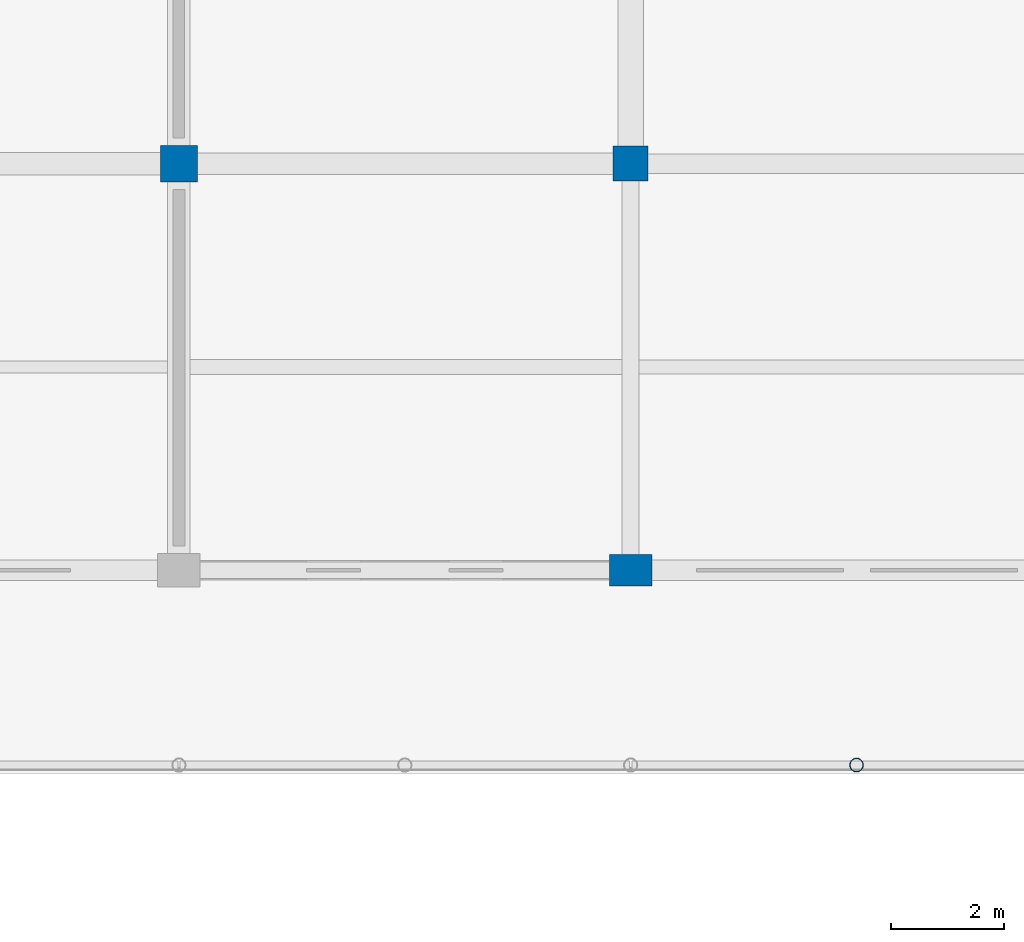
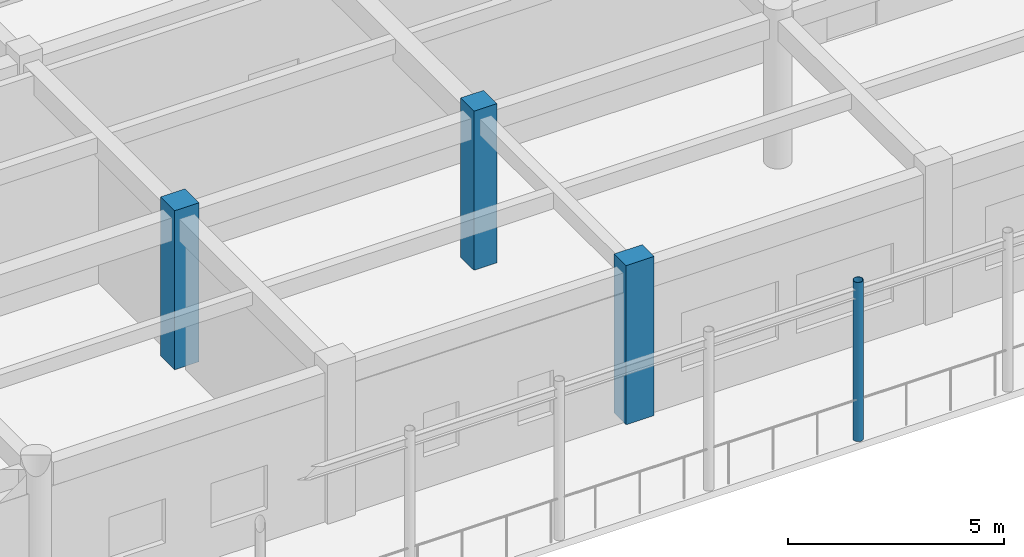
# One storey, part 22 of 160: 4 columns.
"""IFC4 building model written with IfcOpenShell, lengths in metres."""

from ifc_helpers import new_model, si_unit, direction, frame, origin, origin_2d, place, context, subcontext, project, spatial, rectangle, hollow_circle, extrude, material, material_profile, profile_set, type_object, element, save


model = new_model("IFC4")

# Units and contexts
model_context = context("Model", 3, precision=1e-05, world=origin(), true_north=direction((0.0, 1.0)))
body_context = subcontext(model_context, "Body", "Model", "MODEL_VIEW")
ifc_project = project(units=[si_unit("LENGTHUNIT", "METRE"), si_unit("AREAUNIT", "SQUARE_METRE"), si_unit("VOLUMEUNIT", "CUBIC_METRE"), si_unit("PLANEANGLEUNIT", "RADIAN"), si_unit("MASSUNIT", "GRAM", prefix="KILO")], contexts=[model_context])

# Site, building, storey
site_placement = place(None, origin())
site = spatial("IfcSite", under=ifc_project, at=site_placement, CompositionType="ELEMENT")
building_placement = place(site_placement, origin())
building = spatial("IfcBuilding", under=site, at=building_placement, Name="Kharva Crest Polytechnic", CompositionType="ELEMENT")
storey_placement = place(building_placement, frame((0.0, 0.0, 4.5)))
storey = spatial("IfcBuildingStorey", under=building, at=storey_placement, Name="L01", CompositionType="ELEMENT", Elevation=4.5)

# Columns
ifc_material_1 = material(Name="Concrete C40/50", Category="concrete")
ifc_material_profile_1 = material_profile(ifc_material_1, rectangle(XDim=0.75, YDim=0.550048828125, at=origin_2d()), Name="RECT 750 X 550")
ifc_profile_set_1 = profile_set([ifc_material_profile_1], Name="Concrete C40/50")
column_type_1 = type_object("IfcColumnType", Name="COL-EXT-750X550", PredefinedType="COLUMN", material=ifc_profile_set_1)
column_1_placement = place(storey_placement, frame((88.0, 100.39990234375, 0.0), z_axis=(0.0, 0.0, 1.0), x_axis=(1.0, 0.0, 0.0)))
element("IfcColumn", 1, at=column_1_placement, inside=storey, type_object=column_type_1, Name="L01 Column 12/P", PredefinedType="COLUMN", context=body_context, shape_type="SweptSolid", body=[
    extrude(rectangle(XDim=0.75, YDim=0.550048828125, at=origin_2d()), origin(), (0.0, 0.0, 1.0), 4.5),
])
ifc_material_profile_2 = material_profile(ifc_material_1, rectangle(XDim=0.6201171875, YDim=0.6201171875, at=origin_2d()), Name="RECT 620 X 620")
ifc_profile_set_2 = profile_set([ifc_material_profile_2], Name="Concrete C40/50")
column_type_2 = type_object("IfcColumnType", Name="COL-INT-620X620", PredefinedType="COLUMN", material=ifc_profile_set_2)
column_2_placement = place(storey_placement, frame((88.0, 107.60009765625, 0.0), z_axis=(0.0, 0.0, 1.0), x_axis=(1.0, 0.0, 0.0)))
element("IfcColumn", 2, at=column_2_placement, inside=storey, type_object=column_type_2, Name="L01 Column 12/Q", PredefinedType="COLUMN", context=body_context, shape_type="SweptSolid", body=[
    extrude(rectangle(XDim=0.6201171875, YDim=0.6201171875, at=origin_2d()), origin(), (0.0, 0.0, 1.0), 4.5),
])
ifc_material_profile_3 = material_profile(ifc_material_1, rectangle(XDim=0.64990234375, YDim=0.64990234375, at=origin_2d()), Name="RECT 650 X 650")
ifc_profile_set_3 = profile_set([ifc_material_profile_3], Name="Concrete C40/50")
column_type_3 = type_object("IfcColumnType", Name="COL-INT-650X650", PredefinedType="COLUMN", material=ifc_profile_set_3)
column_3_placement = place(storey_placement, frame((80.0, 107.60009765625, 0.0), z_axis=(0.0, 0.0, 1.0), x_axis=(1.0, 0.0, 0.0)))
element("IfcColumn", 3, at=column_3_placement, inside=storey, type_object=column_type_3, Name="L01 Column 11/Q", PredefinedType="COLUMN", context=body_context, shape_type="SweptSolid", body=[
    extrude(rectangle(XDim=0.64990234375, YDim=0.64990234375, at=origin_2d()), origin(), (0.0, 0.0, 1.0), 4.5),
])
ifc_material_2 = material(Name="Steel S355", Category="steel")
ifc_material_profile_4 = material_profile(ifc_material_2, hollow_circle(Radius=0.122314453125, WallThickness=0.010009765625, at=origin_2d()), Name="CHS 244.5X10.0")
ifc_profile_set_4 = profile_set([ifc_material_profile_4], Name="Steel S355")
column_type_4 = type_object("IfcColumnType", Name="COL-STL-CHS244", PredefinedType="COLUMN", material=ifc_profile_set_4)
column_4_placement = place(storey_placement, frame((92.0, 96.949951171875, 0.0), z_axis=(0.0, 0.0, 1.0), x_axis=(1.0, 0.0, 0.0)))
element("IfcColumn", 4, at=column_4_placement, inside=storey, type_object=column_type_4, Name="L01 Colonnade Mid Column VNM05", PredefinedType="COLUMN", context=body_context, shape_type="SweptSolid", body=[
    extrude(hollow_circle(Radius=0.122314453125, WallThickness=0.010009765625, at=origin_2d()), origin(), (0.0, 0.0, 1.0), 4.5),
])

save(model, "model.ifc")
